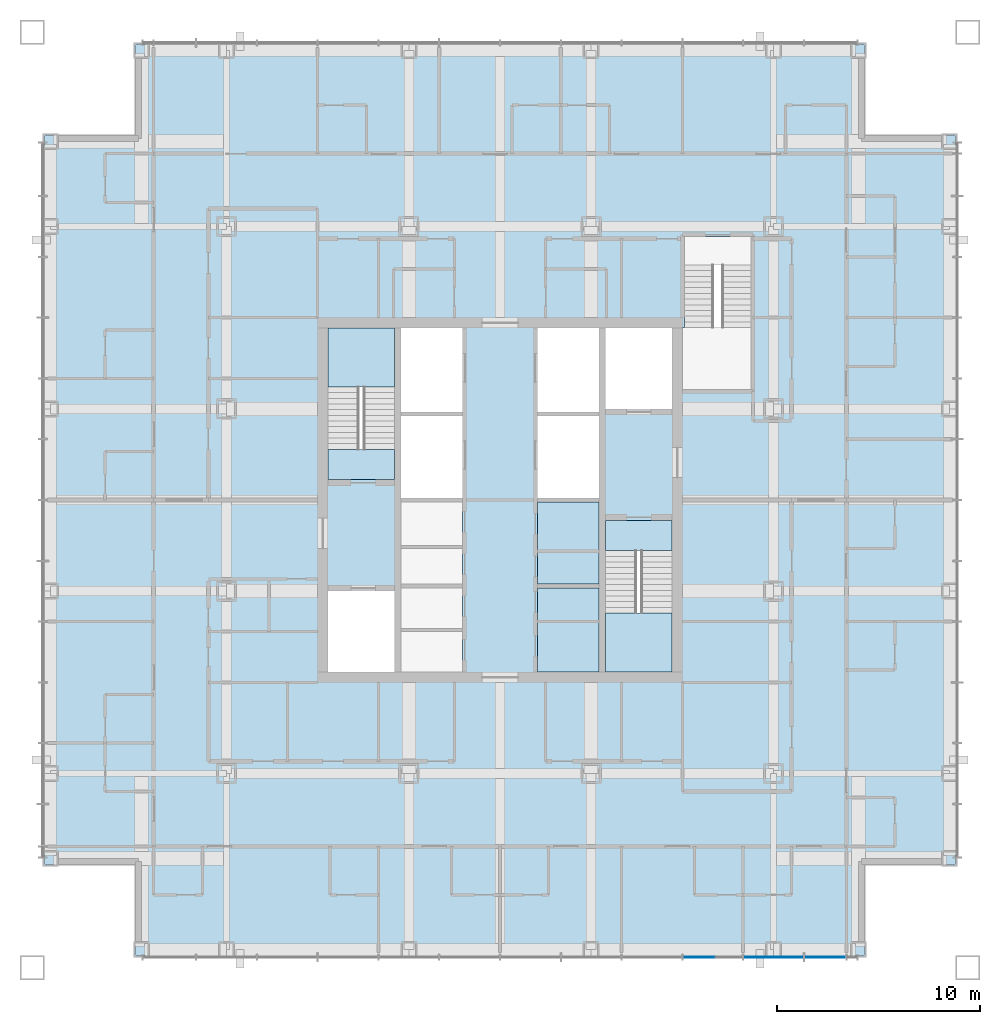
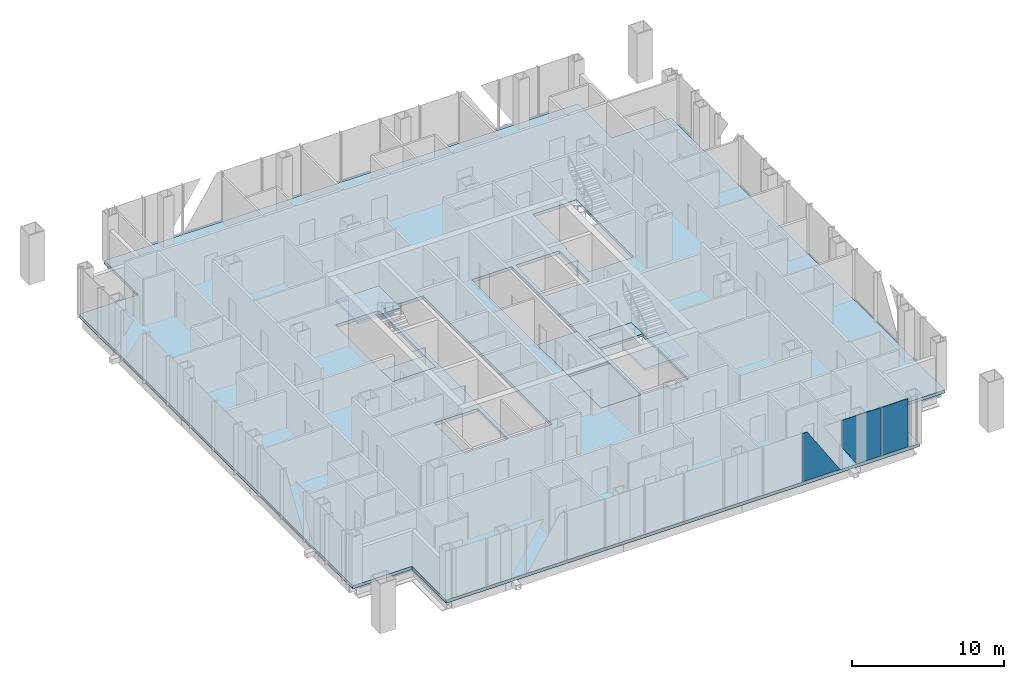
# One storey, part 8 of 18: 7 slabs, 3 plates, 3 elements without a shape of their own.
"""IFC4 building model written with IfcOpenShell, lengths in metres."""

from ifc_helpers import new_model, si_unit, direction, frame, origin, origin_2d, place, context, subcontext, project, spatial, polyline, rectangle, outline, extrude, material, layer, layer_set, type_object, element, aggregate, save


model = new_model("IFC4")

# Units and contexts
model_context = context("Model", 3, precision=1e-05, world=origin(), true_north=direction((0.0, 1.0)))
body_context = subcontext(model_context, "Body", "Model", "MODEL_VIEW")
ifc_project = project(units=[si_unit("LENGTHUNIT", "METRE"), si_unit("AREAUNIT", "SQUARE_METRE"), si_unit("VOLUMEUNIT", "CUBIC_METRE"), si_unit("PLANEANGLEUNIT", "RADIAN"), si_unit("MASSUNIT", "GRAM", prefix="KILO")], contexts=[model_context])

# Site, building, storey
site_placement = place(None, origin())
site = spatial("IfcSite", under=ifc_project, at=site_placement, CompositionType="ELEMENT")
building_placement = place(site_placement, origin())
building = spatial("IfcBuilding", under=site, at=building_placement, Name="Malebo Sky Hospital", CompositionType="ELEMENT")
storey_placement = place(building_placement, frame((0.0, 0.0, 225.0)))
storey = spatial("IfcBuildingStorey", under=building, at=storey_placement, Name="L54", CompositionType="ELEMENT", Elevation=225.0)

# Slabs
ifc_material_1 = material(Name="Concrete C40/50", Category="concrete")
ifc_layer_1 = layer(ifc_material_1, 0.25)
ifc_layer_set_1 = layer_set([ifc_layer_1], Name="COMPOSITE FLOOR SLAB 250")
slab_type_1 = type_object("IfcSlabType", Name="COMPOSITE FLOOR SLAB 250", PredefinedType="FLOOR", material=ifc_layer_set_1)
slab_1_placement = place(storey_placement, frame((0.0, 0.0, -0.25)))
element("IfcSlab", 1, at=slab_1_placement, inside=storey, type_object=slab_type_1, Name="Floor slab L54", PredefinedType="FLOOR", context=body_context, shape_type="SweptSolid", body=[
    extrude(outline(polyline([(42.0, 84.5), (42.0, 80.0), (37.5, 80.0), (37.5, 44.0), (42.0, 44.0), (42.0, 39.5), (78.0, 39.5), (78.0, 44.0), (82.5, 44.0), (82.5, 80.0), (78.0, 80.0), (78.0, 84.5), (42.0, 84.5)]), holes=[polyline([(55.10009765625, 70.5), (58.14990234375, 70.5), (58.14990234375, 53.5), (55.10009765625, 53.5), (55.10009765625, 70.5)]), polyline([(64.89990234375, 70.5), (64.89990234375, 53.5), (61.85009765625, 53.5), (61.85009765625, 70.5), (64.89990234375, 70.5)]), polyline([(54.800048828125, 63.0), (51.5, 63.0), (51.5, 70.5), (54.800048828125, 70.5), (54.800048828125, 63.0)]), polyline([(51.5, 53.5), (51.5, 57.5), (54.800048828125, 57.5), (54.800048828125, 53.5), (51.5, 53.5)]), polyline([(65.199951171875, 61.0), (68.5, 61.0), (68.5, 53.5), (65.199951171875, 53.5), (65.199951171875, 61.0)]), polyline([(68.5, 70.5), (68.5, 66.5), (65.199951171875, 66.5), (65.199951171875, 70.5), (68.5, 70.5)]), polyline([(69.0, 67.449951171875), (69.0, 70.52001953125), (69.10009765625, 70.52001953125), (69.10009765625, 75.0), (72.39990234375, 75.0), (72.39990234375, 67.449951171875), (69.10009765625, 67.449951171875), (69.0, 67.449951171875)])]), origin(), (0.0, 0.0, 1.0), 0.25),
])
ifc_layer_2 = layer(ifc_material_1, 0.25)
ifc_layer_set_2 = layer_set([ifc_layer_2], Name="SHAFT INFILL SLAB 250")
slab_type_2 = type_object("IfcSlabType", Name="SHAFT INFILL SLAB 250", PredefinedType="FLOOR", material=ifc_layer_set_2)
slab_2_placement = place(storey_placement, frame((0.0, 0.0, -0.25)))
element("IfcSlab", 2, at=slab_2_placement, inside=storey, type_object=slab_type_2, Name="Shaft infill slab E1 L54", PredefinedType="FLOOR", context=body_context, shape_type="SweptSolid", body=[
    extrude(outline(polyline([(61.85009765625, 53.5), (64.89990234375, 53.5), (64.89990234375, 57.64990234375), (61.85009765625, 57.64990234375), (61.85009765625, 53.5)])), origin(), (0.0, 0.0, 1.0), 0.25),
])
slab_3_placement = place(storey_placement, frame((0.0, 0.0, -0.25)))
element("IfcSlab", 3, at=slab_3_placement, inside=storey, type_object=slab_type_2, Name="Shaft infill slab E2 L54", PredefinedType="FLOOR", context=body_context, shape_type="SweptSolid", body=[
    extrude(outline(polyline([(61.85009765625, 57.85009765625), (64.89990234375, 57.85009765625), (64.89990234375, 61.89990234375), (61.85009765625, 61.89990234375), (61.85009765625, 57.85009765625)])), origin(), (0.0, 0.0, 1.0), 0.25),
])

# Stair, slabs
stair_type = type_object("IfcStairType", Name="HALF-TURN STAIR 1500 R167", PredefinedType="HALF_TURN_STAIR", material=ifc_material_1)
stair_1_placement = place(storey_placement, origin())
stair_1 = element("IfcStair", 4, at=stair_1_placement, inside=storey, type_object=stair_type, Name="Stair S1 L54 type ST1", PredefinedType="HALF_TURN_STAIR")
ifc_layer_3 = layer(ifc_material_1, 0.199951171875)
ifc_layer_set_3 = layer_set([ifc_layer_3], Name="STAIR LANDING 200")
slab_type_3 = type_object("IfcSlabType", Name="STAIR LANDING 200", PredefinedType="LANDING", material=ifc_layer_set_3)
slab_4_placement = place(storey_placement, frame((0.0, 0.0, -0.199951171875)))
slab_4 = element("IfcSlab", 5, at=slab_4_placement, type_object=slab_type_3, Name="S1 landing 1", PredefinedType="LANDING", context=body_context, shape_type="SweptSolid", body=[
    extrude(outline(polyline([(51.5, 63.0), (54.800048828125, 63.0), (54.800048828125, 64.5), (51.5, 64.5), (51.5, 63.0)])), origin(), (0.0, 0.0, 1.0), 0.199951171875),
])
slab_5_placement = place(storey_placement, frame((0.0, 0.0, 1.800048828125)))
slab_5 = element("IfcSlab", 6, at=slab_5_placement, type_object=slab_type_3, Name="S1 landing 2", PredefinedType="LANDING", context=body_context, shape_type="SweptSolid", body=[
    extrude(outline(polyline([(51.5, 67.580078125), (54.800048828125, 67.580078125), (54.800048828125, 70.5), (51.5, 70.5), (51.5, 67.580078125)])), origin(), (0.0, 0.0, 1.0), 0.199951171875),
])
aggregate(stair_1, [slab_4, slab_5])

stair_2_placement = place(storey_placement, origin())
stair_2 = element("IfcStair", 7, at=stair_2_placement, inside=storey, type_object=stair_type, Name="Stair S2 L54 type ST1", PredefinedType="HALF_TURN_STAIR")
slab_6_placement = place(storey_placement, frame((0.0, 0.0, -0.199951171875)))
slab_6 = element("IfcSlab", 8, at=slab_6_placement, type_object=slab_type_3, Name="S2 landing 1", PredefinedType="LANDING", context=body_context, shape_type="SweptSolid", body=[
    extrude(outline(polyline([(65.199951171875, 59.5), (68.5, 59.5), (68.5, 61.0), (65.199951171875, 61.0), (65.199951171875, 59.5)])), origin(), (0.0, 0.0, 1.0), 0.199951171875),
])
slab_7_placement = place(storey_placement, frame((0.0, 0.0, 1.800048828125)))
slab_7 = element("IfcSlab", 9, at=slab_7_placement, type_object=slab_type_3, Name="S2 landing 2", PredefinedType="LANDING", context=body_context, shape_type="SweptSolid", body=[
    extrude(outline(polyline([(65.199951171875, 53.5), (68.5, 53.5), (68.5, 56.419921875), (65.199951171875, 56.419921875), (65.199951171875, 53.5)])), origin(), (0.0, 0.0, 1.0), 0.199951171875),
])
aggregate(stair_2, [slab_6, slab_7])

# Curtain wall, plates
ifc_material_2 = material(Name="Anodised aluminium, natural silver", Category="aluminium")
ifc_layer_4 = layer(ifc_material_2, 0.25)
ifc_layer_set_4 = layer_set([ifc_layer_4], Name="WARD CURTAIN WALL NORTH AND SOUTH")
curtain_wall_type = type_object("IfcCurtainWallType", Name="WARD CURTAIN WALL NORTH AND SOUTH", PredefinedType="NOTDEFINED", material=ifc_layer_set_4)
curtain_wall_placement = place(storey_placement, origin())
curtain_wall = element("IfcCurtainWall", 10, at=curtain_wall_placement, inside=storey, type_object=curtain_wall_type, Name="NS curtain wall S", PredefinedType="NOTDEFINED")
ifc_material_3 = material(Name="Clear low-iron double glazing", Category="glass")
ifc_layer_5 = layer(ifc_material_3, 0.031982421875)
ifc_layer_set_5 = layer_set([ifc_layer_5], Name="VISION PANEL CLEAR 32")
plate_type = type_object("IfcPlateType", Name="VISION PANEL CLEAR 32", PredefinedType="CURTAIN_PANEL", material=ifc_layer_set_5)
plate_1_placement = place(storey_placement, frame((76.050048828125, 39.425048828125, 0.10009765625), z_axis=(0.0, 0.0, 1.0), x_axis=(-1.0, 0.0, 0.0)))
plate_1 = element("IfcPlate", 11, at=plate_1_placement, type_object=plate_type, Name="Panel 2", PredefinedType="CURTAIN_PANEL", context=body_context, shape_type="SweptSolid", body=[
    extrude(rectangle(XDim=2.02490234375, YDim=0.031982421875, at=origin_2d()), origin(), (0.0, 0.0, 1.0), 3.889892578125),
])
plate_2_placement = place(storey_placement, frame((73.5, 39.425048828125, 0.10009765625), z_axis=(0.0, 0.0, 1.0), x_axis=(-1.0, 0.0, 0.0)))
plate_2 = element("IfcPlate", 12, at=plate_2_placement, type_object=plate_type, Name="Panel 3", PredefinedType="CURTAIN_PANEL", context=body_context, shape_type="SweptSolid", body=[
    extrude(outline(polyline([(-1.46240234375, 0.0), (0.363037109375, 0.0), (1.46240234375, 1.71337890625), (1.46240234375, 3.889892578125), (-1.46240234375, 3.889892578125), (-1.46240234375, 0.0)])), frame((0.0, 0.01611328125, 0.0), z_axis=(0.0, -1.0, 0.0), x_axis=(1.0, 0.0, 0.0)), (0.0, 0.0, 1.0), 0.031982421875),
])
plate_3_placement = place(storey_placement, frame((70.462890625, 39.425048828125, 0.10009765625), z_axis=(0.0, 0.0, 1.0), x_axis=(-1.0, 0.0, 0.0)))
plate_3 = element("IfcPlate", 13, at=plate_3_placement, type_object=plate_type, Name="Panel 4", PredefinedType="CURTAIN_PANEL", context=body_context, shape_type="SweptSolid", body=[
    extrude(outline(polyline([(-1.42529296875, 0.0), (1.42529296875, 0.0), (1.42529296875, 3.889892578125), (1.07080078125, 3.889892578125), (-1.42529296875, 0.0)])), frame((0.0, 0.01611328125, 0.0), z_axis=(0.0, -1.0, 0.0), x_axis=(1.0, 0.0, 0.0)), (0.0, 0.0, 1.0), 0.031982421875),
])
aggregate(curtain_wall, [plate_1, plate_2, plate_3])

save(model, "model.ifc")
